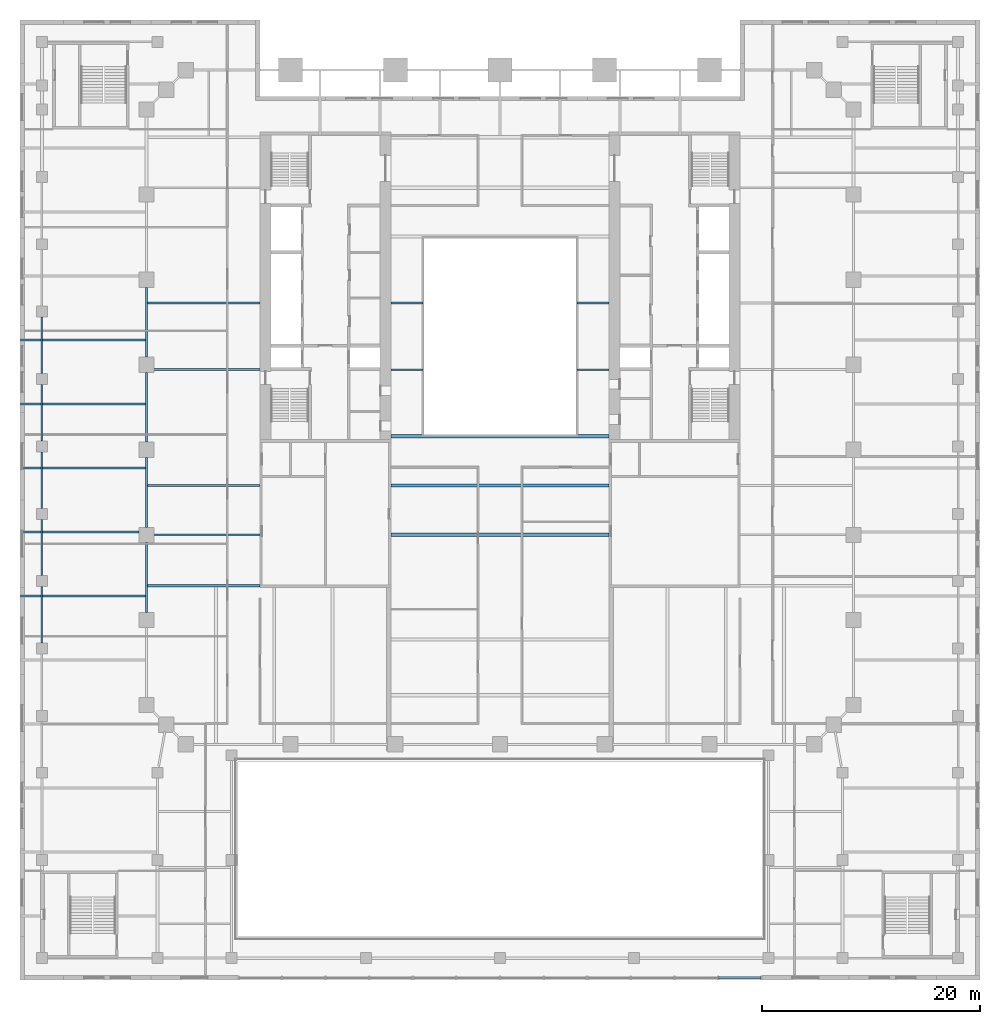
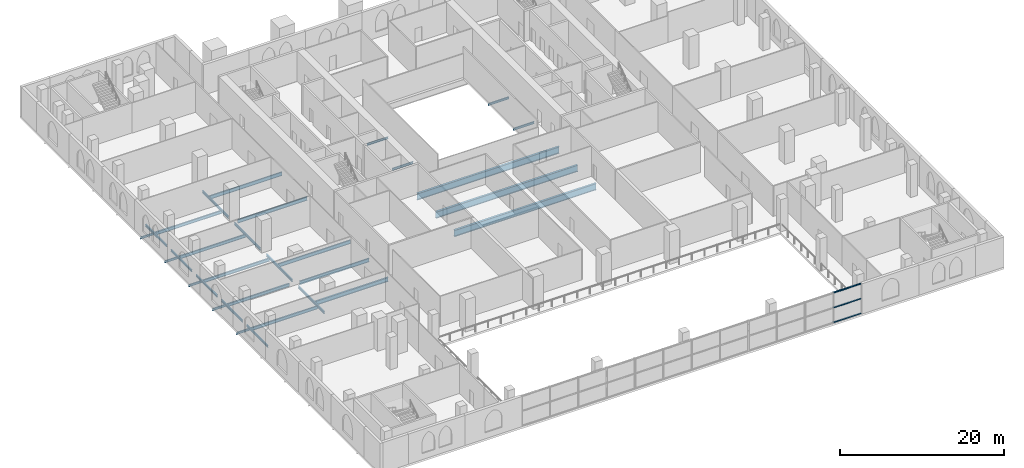
# One storey, part 4 of 19: 31 beams, 3 members, 1 element without a shape of its own.
"""IFC4 building model written with IfcOpenShell, lengths in metres."""

import ifcopenshell
import ifcopenshell.guid

model = None  # the IFC model being written
_history = None  # IfcOwnerHistory: only IFC2X3 demands one
_inside = {}  # id of a spatial element -> (the spatial element, [elements in it])
_under = {}  # id of a project, library or spatial element -> (it, [spatial elements below it])
_declared = {}  # id of a project -> (the project, [libraries it declares])
_typed = {}  # id of a type object -> (the type object, [elements of that type])
_made_of = {}  # id of a material, layer set ... -> (it, [elements and type objects made of it])


def new_model(schema):
    """Start an empty IFC model of exactly this schema.

    Asked for "IFC4X3", IfcOpenShell would pick the latest addendum, in which some entities
    have other attributes; the version numbers below select the first issue.
    IFC2X3 requires an IfcOwnerHistory on every rooted entity: one is made here for all.
    """
    global model, _history
    if schema == "IFC4X3":
        model = ifcopenshell.file(schema_version=(4, 3, 0, 0))
    else:
        model = ifcopenshell.file(schema=schema)
    _inside.clear()
    _under.clear()
    _declared.clear()
    _typed.clear()
    _made_of.clear()
    _history = None
    if model.schema == "IFC2X3":
        org = make("IfcOrganization", Name="unknown")
        user = make(
            "IfcPersonAndOrganization",
            ThePerson=make("IfcPerson", FamilyName="unknown"),
            TheOrganization=org,
        )
        app = make(
            "IfcApplication",
            ApplicationDeveloper=org,
            Version="unknown",
            ApplicationFullName="unknown",
            ApplicationIdentifier="unknown",
        )
        _history = make(
            "IfcOwnerHistory",
            OwningUser=user,
            OwningApplication=app,
            ChangeAction="ADDED",
            CreationDate=0,
        )
    return model


def make(cls, **values):
    """One entity of the class cls with the attributes given. An attribute that is None is left unset."""
    return model.create_entity(
        cls, **{name: value for name, value in values.items() if value is not None}
    )


def rooted(cls, **values):
    """An entity with a GlobalId (a new one), such as an element, a storey or a relation."""
    return make(cls, GlobalId=ifcopenshell.guid.new(), OwnerHistory=_history, **values)


def si_unit(unit_type, name, prefix=None):
    """IfcSIUnit, for example si_unit("LENGTHUNIT", "METRE", prefix="MILLI")."""
    return make("IfcSIUnit", UnitType=unit_type, Prefix=prefix, Name=name)


def assignment(units):
    """IfcUnitAssignment: the units of a project."""
    return None if units is None else make("IfcUnitAssignment", Units=units)


def point(xyz):
    """IfcCartesianPoint."""
    return None if xyz is None else make("IfcCartesianPoint", Coordinates=xyz)


def direction(xyz):
    """IfcDirection."""
    return None if xyz is None else make("IfcDirection", DirectionRatios=xyz)


def frame(location, z_axis=None, x_axis=None):
    """IfcAxis2Placement3D, a coordinate frame: its origin and axes. An axis left out is left unset."""
    return make(
        "IfcAxis2Placement3D",
        Location=point(location),
        Axis=direction(z_axis),
        RefDirection=direction(x_axis),
    )


def frame_2d(location, x_axis=None):
    """IfcAxis2Placement2D, a coordinate frame in the plane: its origin and x axis."""
    return make(
        "IfcAxis2Placement2D", Location=point(location), RefDirection=direction(x_axis)
    )


def origin():
    """The frame at (0, 0, 0) with its axes left unset."""
    return frame((0.0, 0.0, 0.0))


def origin_2d():
    """The frame at (0, 0) in the plane with its x axis left unset."""
    return frame_2d((0.0, 0.0))


def place(relative_to, where):
    """IfcLocalPlacement: puts the frame where relative to a parent placement (None: the world)."""
    return make(
        "IfcLocalPlacement", PlacementRelTo=relative_to, RelativePlacement=where
    )


def context(
    kind, dimensions, precision=None, world=None, true_north=None, identifier=None
):
    """IfcGeometricRepresentationContext, for example the 3D "Model" context."""
    return make(
        "IfcGeometricRepresentationContext",
        ContextIdentifier=identifier,
        ContextType=kind,
        CoordinateSpaceDimension=dimensions,
        Precision=precision,
        WorldCoordinateSystem=world,
        TrueNorth=true_north,
    )


def subcontext(parent, identifier, kind, view, scale=None):
    """IfcGeometricRepresentationSubContext, for example "Body" below "Model"."""
    return make(
        "IfcGeometricRepresentationSubContext",
        ContextIdentifier=identifier,
        ContextType=kind,
        ParentContext=parent,
        TargetScale=scale,
        TargetView=view,
    )


def project(units=None, contexts=None):
    """IfcProject with its units and contexts."""
    return rooted(
        "IfcProject",
        Name="project",
        RepresentationContexts=contexts,
        UnitsInContext=assignment(units),
    )


def spatial(cls, under=None, at=None, **own):
    """A site, building, storey or space (cls), placed at a placement, below another one or the project."""
    s = rooted(cls, ObjectPlacement=at, **own)
    if under is not None:
        _under.setdefault(under.id(), (under, []))[1].append(s)
    return s


def profile(cls, at=None, kind="AREA", **sizes):
    """A parametric profile (cls). Its sizes go by their IFC names, for example OverallWidth=200.0."""
    return make(cls, ProfileType=kind, Position=at, **sizes)


def rectangle(**sizes):
    """IfcRectangleProfileDef."""
    return profile("IfcRectangleProfileDef", **sizes)


def i_section(**sizes):
    """IfcIShapeProfileDef."""
    return profile("IfcIShapeProfileDef", **sizes)


def extrude(swept, where, along, depth):
    """IfcExtrudedAreaSolid: the profile swept, set in the frame where, extruded along a direction by depth."""
    return make(
        "IfcExtrudedAreaSolid",
        SweptArea=swept,
        Position=where,
        ExtrudedDirection=direction(along),
        Depth=depth,
    )


def shape(context_of_items, identifier, shape_type, items):
    """IfcShapeRepresentation: the items that make up one representation, for example the "Body"."""
    return make(
        "IfcShapeRepresentation",
        ContextOfItems=context_of_items,
        RepresentationIdentifier=identifier,
        RepresentationType=shape_type,
        Items=items,
    )


def material(Name=None, Category=None):
    """IfcMaterial."""
    return make("IfcMaterial", Name=Name, Category=Category)


def material_profile(
    of_material, cross_section, Name=None, Category=None, Priority=None
):
    """IfcMaterialProfile: a cross section and its material."""
    return make(
        "IfcMaterialProfile",
        Name=Name,
        Material=of_material,
        Profile=cross_section,
        Priority=Priority,
        Category=Category,
    )


def profile_set(profiles, Name=None, composite=None):
    """IfcMaterialProfileSet."""
    return make(
        "IfcMaterialProfileSet",
        Name=Name,
        MaterialProfiles=profiles,
        CompositeProfile=composite,
    )


def made_of(thing, what):
    """Note that an element or type object is made of a material, layer set ...; save() writes the relation."""
    if what is not None:
        _made_of.setdefault(what.id(), (what, []))[1].append(thing)
    return thing


def type_object(cls, material=None, **own):
    """A type object (cls), such as IfcWallType, which elements share."""
    return made_of(rooted(cls, **own), material)


def element(
    cls,
    number,
    at=None,
    inside=None,
    cuts=None,
    type_object=None,
    material=None,
    context=None,
    identifier="Body",
    shape_type=None,
    held_by="IfcProductDefinitionShape",
    body=None,
    shapes=None,
    **own,
):
    """One element of the class cls, such as IfcWall. Its Tag is "e" and its number.

    at: its placement. inside: the storey or other place that contains it. cuts: it is an
    opening in that element (IfcRelVoidsElement). A single representation is given by context,
    identifier, shape_type and body (its items); several are given by shapes. held_by: the class
    of the entity that holds the representations. save() writes the other relations.
    """
    e = rooted(cls, Tag="e%d" % number, ObjectPlacement=at, **own)
    if body is not None:
        shapes = [shape(context, identifier, shape_type, body)]
    if shapes is not None:
        e.Representation = make(held_by, Representations=shapes)
    if inside is not None:
        _inside.setdefault(inside.id(), (inside, []))[1].append(e)
    if cuts is not None:
        rooted(
            "IfcRelVoidsElement", RelatingBuildingElement=cuts, RelatedOpeningElement=e
        )
    if type_object is not None:
        _typed.setdefault(type_object.id(), (type_object, []))[1].append(e)
    return made_of(e, material)


def aggregate(whole, parts):
    """IfcRelAggregates: a whole, such as a stair, and the parts it consists of."""
    return rooted("IfcRelAggregates", RelatingObject=whole, RelatedObjects=parts)


def save(model, path):
    """Write the relations noted so far, then the file.

    IfcRelAggregates (storeys below a building ...), IfcRelContainedInSpatialStructure (elements
    in a storey), IfcRelDefinesByType, IfcRelAssociatesMaterial and IfcRelDeclares: one each for
    every whole, place, type object, material and project.
    """
    for whole, parts in _under.values():
        aggregate(whole, parts)
    for where, things in _inside.values():
        rooted(
            "IfcRelContainedInSpatialStructure",
            RelatedElements=things,
            RelatingStructure=where,
        )
    for kind, things in _typed.values():
        rooted("IfcRelDefinesByType", RelatedObjects=things, RelatingType=kind)
    for what, things in _made_of.values():
        rooted("IfcRelAssociatesMaterial", RelatedObjects=things, RelatingMaterial=what)
    for by, libraries in _declared.values():
        rooted("IfcRelDeclares", RelatingContext=by, RelatedDefinitions=libraries)
    model.write(path)


model = new_model("IFC4")

# Units and contexts
model_context = context("Model", 3, precision=1e-05, world=origin(), true_north=direction((0.0, 1.0)))
body_context = subcontext(model_context, "Body", "Model", "MODEL_VIEW")
ifc_project = project(units=[si_unit("LENGTHUNIT", "METRE"), si_unit("AREAUNIT", "SQUARE_METRE"), si_unit("VOLUMEUNIT", "CUBIC_METRE"), si_unit("PLANEANGLEUNIT", "RADIAN"), si_unit("MASSUNIT", "GRAM", prefix="KILO")], contexts=[model_context])

# Site, building, storey
site_placement = place(None, origin())
site = spatial("IfcSite", under=ifc_project, at=site_placement, CompositionType="ELEMENT")
building_placement = place(site_placement, origin())
building = spatial("IfcBuilding", under=site, at=building_placement, Name="Ogive Exchange Tower", CompositionType="ELEMENT")
storey_placement = place(building_placement, frame((0.0, 0.0, 19.199951171875)))
storey = spatial("IfcBuildingStorey", under=building, at=storey_placement, Name="L03", CompositionType="ELEMENT", Elevation=19.199951171875)

# Beams
ifc_material_1 = material(Name="Steel ASTM A992 Gr50", Category="steel")
ifc_material_profile_1 = material_profile(ifc_material_1, i_section(OverallWidth=0.300048828125, OverallDepth=0.969970703125, WebThickness=0.01611328125, FlangeThickness=0.02099609375, at=origin_2d()), Name="W1000x222")
ifc_profile_set_1 = profile_set([ifc_material_profile_1], Name="Steel ASTM A992 Gr50")
beam_type_1 = type_object("IfcBeamType", Name="Floor beam W1000x222", PredefinedType="JOIST", material=ifc_profile_set_1)
for number, where, z_axis, x_axis, name in (
    (1, (-10.0, -11.17822265625, -0.784912109375), (1.0, 0.0, 0.0), (0.0, 1.0, 0.0), "Floor beam"),
    (2, (-10.0, -6.666748046875, -0.784912109375), (1.0, 0.0, 0.0), (0.0, 1.0, 0.0), "Floor beam"),
):
    element("IfcBeam", number, at=place(storey_placement, frame(where, z_axis=z_axis, x_axis=x_axis)), inside=storey, type_object=beam_type_1, Name=name, PredefinedType="JOIST", context=body_context, shape_type="SweptSolid", body=[
        extrude(i_section(OverallWidth=0.300048828125, OverallDepth=0.969970703125, WebThickness=0.01611328125, FlangeThickness=0.02099609375, at=origin_2d()), origin(), (0.0, 0.0, 1.0), 20.0),
    ])
ifc_material_profile_2 = material_profile(ifc_material_1, i_section(OverallWidth=0.1650390625, OverallDepth=0.31005859375, WebThickness=0.005859375, FlangeThickness=0.009765625, at=origin_2d()), Name="W310x38.7")
ifc_profile_set_2 = profile_set([ifc_material_profile_2], Name="Steel ASTM A992 Gr50")
beam_type_2 = type_object("IfcBeamType", Name="Floor beam W310x38.7", PredefinedType="JOIST", material=ifc_profile_set_2)
for number, where, z_axis, x_axis, name in (
    (3, (-10.0, 3.9482421875, -0.454833984375), (1.0, 0.0, 0.0), (0.0, 1.0, 0.0), "Floor beam"),
    (4, (7.050048828125, 3.9482421875, -0.454833984375), (1.0, 0.0, 0.0), (0.0, 1.0, 0.0), "Floor beam"),
    (5, (-10.0, 10.0517578125, -0.454833984375), (1.0, 0.0, 0.0), (0.0, 1.0, 0.0), "Floor beam"),
    (6, (7.050048828125, 10.0517578125, -0.454833984375), (1.0, 0.0, 0.0), (0.0, 1.0, 0.0), "Floor beam"),
):
    element("IfcBeam", number, at=place(storey_placement, frame(where, z_axis=z_axis, x_axis=x_axis)), inside=storey, type_object=beam_type_2, Name=name, PredefinedType="JOIST", context=body_context, shape_type="SweptSolid", body=[
        extrude(i_section(OverallWidth=0.1650390625, OverallDepth=0.31005859375, WebThickness=0.005859375, FlangeThickness=0.009765625, at=origin_2d()), origin(), (0.0, 0.0, 1.0), 2.949951171875),
    ])
for number, where, z_axis, x_axis, name in (
    (7, (-43.949951171875, -16.800048828125, -0.454833984375), (1.0, 0.0, 0.0), (0.0, 1.0, 0.0), "Floor beam"),
    (8, (-43.949951171875, -10.933349609375, -0.454833984375), (1.0, 0.0, 0.0), (0.0, 1.0, 0.0), "Floor beam"),
    (9, (-43.949951171875, -5.066650390625, -0.454833984375), (1.0, 0.0, 0.0), (0.0, 1.0, 0.0), "Floor beam"),
    (10, (-43.949951171875, 0.800048828125, -0.454833984375), (1.0, 0.0, 0.0), (0.0, 1.0, 0.0), "Floor beam"),
    (11, (-43.949951171875, 6.666748046875, -0.454833984375), (1.0, 0.0, 0.0), (0.0, 1.0, 0.0), "Floor beam"),
):
    element("IfcBeam", number, at=place(storey_placement, frame(where, z_axis=z_axis, x_axis=x_axis)), inside=storey, type_object=beam_type_2, Name=name, PredefinedType="JOIST", context=body_context, shape_type="SweptSolid", body=[
        extrude(i_section(OverallWidth=0.1650390625, OverallDepth=0.31005859375, WebThickness=0.005859375, FlangeThickness=0.009765625, at=origin_2d()), origin(), (0.0, 0.0, 1.0), 1.867431640625),
    ])
ifc_material_profile_3 = material_profile(ifc_material_1, i_section(OverallWidth=0.19091796875, OverallDepth=0.45703125, WebThickness=0.009033203125, FlangeThickness=0.014404296875, at=origin_2d()), Name="W460x74")
ifc_profile_set_3 = profile_set([ifc_material_profile_3], Name="Steel ASTM A992 Gr50")
beam_type_3 = type_object("IfcBeamType", Name="Floor beam W460x74", PredefinedType="JOIST", material=ifc_profile_set_3)
beam_1_placement = place(storey_placement, frame((-41.91748046875, -16.800048828125, -0.528564453125), z_axis=(1.0, 0.0, 0.0), x_axis=(0.0, 1.0, 0.0)))
element("IfcBeam", 12, at=beam_1_placement, inside=storey, type_object=beam_type_3, Name="Floor beam", PredefinedType="JOIST", context=body_context, shape_type="SweptSolid", body=[
    extrude(i_section(OverallWidth=0.19091796875, OverallDepth=0.45703125, WebThickness=0.009033203125, FlangeThickness=0.014404296875, at=origin_2d()), origin(), (0.0, 0.0, 1.0), 9.431884765625),
])
beam_2_placement = place(storey_placement, frame((-41.91748046875, -10.933349609375, -0.528564453125), z_axis=(1.0, 0.0, 0.0), x_axis=(0.0, 1.0, 0.0)))
element("IfcBeam", 13, at=beam_2_placement, inside=storey, type_object=beam_type_3, Name="Floor beam", PredefinedType="JOIST", context=body_context, shape_type="SweptSolid", body=[
    extrude(i_section(OverallWidth=0.19091796875, OverallDepth=0.45703125, WebThickness=0.009033203125, FlangeThickness=0.014404296875, at=origin_2d()), origin(), (0.0, 0.0, 1.0), 8.8173828125),
])
for number, where, z_axis, x_axis, name in (
    (14, (-41.91748046875, -5.066650390625, -0.528564453125), (1.0, 0.0, 0.0), (0.0, 1.0, 0.0), "Floor beam"),
    (15, (-41.91748046875, 0.800048828125, -0.528564453125), (1.0, 0.0, 0.0), (0.0, 1.0, 0.0), "Floor beam"),
    (16, (-41.91748046875, 6.666748046875, -0.528564453125), (1.0, 0.0, 0.0), (0.0, 1.0, 0.0), "Floor beam"),
):
    element("IfcBeam", number, at=place(storey_placement, frame(where, z_axis=z_axis, x_axis=x_axis)), inside=storey, type_object=beam_type_3, Name=name, PredefinedType="JOIST", context=body_context, shape_type="SweptSolid", body=[
        extrude(i_section(OverallWidth=0.19091796875, OverallDepth=0.45703125, WebThickness=0.009033203125, FlangeThickness=0.014404296875, at=origin_2d()), origin(), (0.0, 0.0, 1.0), 9.431884765625),
    ])
ifc_material_profile_4 = material_profile(ifc_material_1, i_section(OverallWidth=0.1669921875, OverallDepth=0.535888671875, WebThickness=0.01025390625, FlangeThickness=0.0166015625, at=origin_2d()), Name="W530x85")
ifc_profile_set_4 = profile_set([ifc_material_profile_4], Name="Steel ASTM A992 Gr50")
beam_type_4 = type_object("IfcBeamType", Name="Floor beam W530x85", PredefinedType="JOIST", material=ifc_profile_set_4)
beam_3_placement = place(storey_placement, frame((-31.800048828125, -11.17822265625, -0.56787109375), z_axis=(1.0, 0.0, 0.0), x_axis=(0.0, 1.0, 0.0)))
element("IfcBeam", 17, at=beam_3_placement, inside=storey, type_object=beam_type_4, Name="Floor beam", PredefinedType="JOIST", context=body_context, shape_type="SweptSolid", body=[
    extrude(i_section(OverallWidth=0.1669921875, OverallDepth=0.535888671875, WebThickness=0.01025390625, FlangeThickness=0.0166015625, at=origin_2d()), origin(), (0.0, 0.0, 1.0), 9.800048828125),
])
beam_4_placement = place(storey_placement, frame((-32.344970703125, -6.666748046875, -0.56787109375), z_axis=(1.0, 0.0, 0.0), x_axis=(0.0, 1.0, 0.0)))
element("IfcBeam", 18, at=beam_4_placement, inside=storey, type_object=beam_type_4, Name="Floor beam", PredefinedType="JOIST", context=body_context, shape_type="SweptSolid", body=[
    extrude(i_section(OverallWidth=0.1669921875, OverallDepth=0.535888671875, WebThickness=0.01025390625, FlangeThickness=0.0166015625, at=origin_2d()), origin(), (0.0, 0.0, 1.0), 10.344970703125),
])
beam_5_placement = place(storey_placement, frame((-31.800048828125, 3.9482421875, -0.56787109375), z_axis=(1.0, 0.0, 0.0), x_axis=(0.0, 1.0, 0.0)))
element("IfcBeam", 19, at=beam_5_placement, inside=storey, type_object=beam_type_4, Name="Floor beam", PredefinedType="JOIST", context=body_context, shape_type="SweptSolid", body=[
    extrude(i_section(OverallWidth=0.1669921875, OverallDepth=0.535888671875, WebThickness=0.01025390625, FlangeThickness=0.0166015625, at=origin_2d()), origin(), (0.0, 0.0, 1.0), 9.800048828125),
])
beam_6_placement = place(storey_placement, frame((-32.344970703125, 10.0517578125, -0.56787109375), z_axis=(1.0, 0.0, 0.0), x_axis=(0.0, 1.0, 0.0)))
element("IfcBeam", 20, at=beam_6_placement, inside=storey, type_object=beam_type_4, Name="Floor beam", PredefinedType="JOIST", context=body_context, shape_type="SweptSolid", body=[
    extrude(i_section(OverallWidth=0.1669921875, OverallDepth=0.535888671875, WebThickness=0.01025390625, FlangeThickness=0.0166015625, at=origin_2d()), origin(), (0.0, 0.0, 1.0), 10.344970703125),
])

# Curtain wall, members
ifc_material_2 = material(Name="Anodised aluminium and clear glass", Category="aluminium")
curtain_wall_type = type_object("IfcCurtainWallType", Name="Galleria end wall glazing", PredefinedType="NOTDEFINED", material=ifc_material_2)
curtain_wall_placement = place(storey_placement, origin())
curtain_wall = element("IfcCurtainWall", 21, at=curtain_wall_placement, inside=storey, type_object=curtain_wall_type, Name="Galleria end wall glazing run GE9", PredefinedType="NOTDEFINED")
ifc_material_3 = material(Name="Anodised aluminium", Category="aluminium")
ifc_material_profile_5 = material_profile(ifc_material_3, rectangle(XDim=0.219970703125, YDim=0.080078125, at=origin_2d()), Name="AL 80x220")
ifc_profile_set_5 = profile_set([ifc_material_profile_5], Name="Anodised aluminium")
member_type = type_object("IfcMemberType", Name="Galleria end wall glazing transom 80 x 220", PredefinedType="USERDEFINED", material=ifc_profile_set_5)
member_1_placement = place(storey_placement, frame((20.0400390625, -51.800048828125, 0.0400390625), z_axis=(1.0, 0.0, 0.0), x_axis=(0.0, 1.0, 0.0)))
member_1 = element("IfcMember", 22, at=member_1_placement, type_object=member_type, Name="GE9 transom 2.1", ObjectType="TRANSOM", PredefinedType="USERDEFINED", context=body_context, shape_type="SweptSolid", body=[
    extrude(rectangle(XDim=0.219970703125, YDim=0.080078125, at=origin_2d()), origin(), (0.0, 0.0, 1.0), 3.8798828125),
])
member_2_placement = place(storey_placement, frame((20.0400390625, -51.800048828125, 2.25), z_axis=(1.0, 0.0, 0.0), x_axis=(0.0, 1.0, 0.0)))
member_2 = element("IfcMember", 23, at=member_2_placement, type_object=member_type, Name="GE9 transom 2.2", ObjectType="TRANSOM", PredefinedType="USERDEFINED", context=body_context, shape_type="SweptSolid", body=[
    extrude(rectangle(XDim=0.219970703125, YDim=0.080078125, at=origin_2d()), origin(), (0.0, 0.0, 1.0), 3.8798828125),
])
member_3_placement = place(storey_placement, frame((20.0400390625, -51.800048828125, 4.4599609375), z_axis=(1.0, 0.0, 0.0), x_axis=(0.0, 1.0, 0.0)))
member_3 = element("IfcMember", 24, at=member_3_placement, type_object=member_type, Name="GE9 transom 2.3", ObjectType="TRANSOM", PredefinedType="USERDEFINED", context=body_context, shape_type="SweptSolid", body=[
    extrude(rectangle(XDim=0.219970703125, YDim=0.080078125, at=origin_2d()), origin(), (0.0, 0.0, 1.0), 3.8798828125),
])
aggregate(curtain_wall, [member_1, member_2, member_3])

# Beams
ifc_material_profile_6 = material_profile(ifc_material_1, i_section(OverallWidth=0.300048828125, OverallDepth=0.97998046875, WebThickness=0.0166015625, FlangeThickness=0.026123046875, at=origin_2d()), Name="W1000x249")
ifc_profile_set_6 = profile_set([ifc_material_profile_6], Name="Steel ASTM A992 Gr50")
beam_type_5 = type_object("IfcBeamType", Name="Girder W1000x249", PredefinedType="BEAM", material=ifc_profile_set_6)
beam_7_placement = place(storey_placement, frame((-10.0, -2.155029296875, -0.7900390625), z_axis=(1.0, 0.0, 0.0), x_axis=(0.0, 1.0, 0.0)))
element("IfcBeam", 25, at=beam_7_placement, inside=storey, type_object=beam_type_5, Name="Trimmer girder", PredefinedType="BEAM", context=body_context, shape_type="SweptSolid", body=[
    extrude(i_section(OverallWidth=0.300048828125, OverallDepth=0.97998046875, WebThickness=0.0166015625, FlangeThickness=0.026123046875, at=origin_2d()), origin(), (0.0, 0.0, 1.0), 20.0),
])
ifc_material_profile_7 = material_profile(ifc_material_1, i_section(OverallWidth=0.1650390625, OverallDepth=0.31005859375, WebThickness=0.005859375, FlangeThickness=0.009765625, at=origin_2d()), Name="W310x38.7")
ifc_profile_set_7 = profile_set([ifc_material_profile_7], Name="Steel ASTM A992 Gr50")
beam_type_6 = type_object("IfcBeamType", Name="Girder W310x38.7", PredefinedType="BEAM", material=ifc_profile_set_7)
beam_8_placement = place(storey_placement, frame((-42.0, -21.1201171875, -0.454833984375), z_axis=(0.0, 1.0, 0.0), x_axis=(-1.0, 0.0, 0.0)))
element("IfcBeam", 26, at=beam_8_placement, inside=storey, type_object=beam_type_6, Name="Girder", PredefinedType="BEAM", context=body_context, shape_type="SweptSolid", body=[
    extrude(i_section(OverallWidth=0.1650390625, OverallDepth=0.31005859375, WebThickness=0.005859375, FlangeThickness=0.009765625, at=origin_2d()), origin(), (0.0, 0.0, 1.0), 5.18017578125),
])
beam_9_placement = place(storey_placement, frame((-42.0, -14.93994140625, -0.454833984375), z_axis=(0.0, 1.0, 0.0), x_axis=(-1.0, 0.0, 0.0)))
element("IfcBeam", 27, at=beam_9_placement, inside=storey, type_object=beam_type_6, Name="Girder", PredefinedType="BEAM", context=body_context, shape_type="SweptSolid", body=[
    extrude(i_section(OverallWidth=0.1650390625, OverallDepth=0.31005859375, WebThickness=0.005859375, FlangeThickness=0.009765625, at=origin_2d()), origin(), (0.0, 0.0, 1.0), 5.169921875),
])
beam_10_placement = place(storey_placement, frame((-42.0, -8.77001953125, -0.454833984375), z_axis=(0.0, 1.0, 0.0), x_axis=(-1.0, 0.0, 0.0)))
element("IfcBeam", 28, at=beam_10_placement, inside=storey, type_object=beam_type_6, Name="Girder", PredefinedType="BEAM", context=body_context, shape_type="SweptSolid", body=[
    extrude(i_section(OverallWidth=0.1650390625, OverallDepth=0.31005859375, WebThickness=0.005859375, FlangeThickness=0.009765625, at=origin_2d()), origin(), (0.0, 0.0, 1.0), 5.179931640625),
])
beam_11_placement = place(storey_placement, frame((-42.0, -2.590087890625, -0.454833984375), z_axis=(0.0, 1.0, 0.0), x_axis=(-1.0, 0.0, 0.0)))
element("IfcBeam", 29, at=beam_11_placement, inside=storey, type_object=beam_type_6, Name="Girder", PredefinedType="BEAM", context=body_context, shape_type="SweptSolid", body=[
    extrude(i_section(OverallWidth=0.1650390625, OverallDepth=0.31005859375, WebThickness=0.005859375, FlangeThickness=0.009765625, at=origin_2d()), origin(), (0.0, 0.0, 1.0), 5.18017578125),
])
beam_12_placement = place(storey_placement, frame((-42.0, 3.590087890625, -0.454833984375), z_axis=(0.0, 1.0, 0.0), x_axis=(-1.0, 0.0, 0.0)))
element("IfcBeam", 30, at=beam_12_placement, inside=storey, type_object=beam_type_6, Name="Girder", PredefinedType="BEAM", context=body_context, shape_type="SweptSolid", body=[
    extrude(i_section(OverallWidth=0.1650390625, OverallDepth=0.31005859375, WebThickness=0.005859375, FlangeThickness=0.009765625, at=origin_2d()), origin(), (0.0, 0.0, 1.0), 5.179931640625),
])
ifc_material_profile_8 = material_profile(ifc_material_1, i_section(OverallWidth=0.1708984375, OverallDepth=0.35595703125, WebThickness=0.00732421875, FlangeThickness=0.01171875, at=origin_2d()), Name="W360x51")
ifc_profile_set_8 = profile_set([ifc_material_profile_8], Name="Steel ASTM A992 Gr50")
beam_type_7 = type_object("IfcBeamType", Name="Girder W360x51", PredefinedType="BEAM", material=ifc_profile_set_8)
for number, where, z_axis, x_axis, name in (
    (31, (-32.39990234375, 11.5, -0.47802734375), (0.0, -1.0, 0.0), (1.0, 0.0, 0.0), "Girder"),
    (32, (-32.39990234375, 3.699951171875, -0.47802734375), (0.0, -1.0, 0.0), (1.0, 0.0, 0.0), "Girder"),
    (33, (-32.39990234375, -4.10009765625, -0.47802734375), (0.0, -1.0, 0.0), (1.0, 0.0, 0.0), "Girder"),
):
    element("IfcBeam", number, at=place(storey_placement, frame(where, z_axis=z_axis, x_axis=x_axis)), inside=storey, type_object=beam_type_7, Name=name, PredefinedType="BEAM", context=body_context, shape_type="SweptSolid", body=[
        extrude(i_section(OverallWidth=0.1708984375, OverallDepth=0.35595703125, WebThickness=0.00732421875, FlangeThickness=0.01171875, at=origin_2d()), origin(), (0.0, 0.0, 1.0), 6.39990234375),
    ])
beam_13_placement = place(storey_placement, frame((-32.39990234375, -11.89990234375, -0.47802734375), z_axis=(0.0, -1.0, 0.0), x_axis=(1.0, 0.0, 0.0)))
element("IfcBeam", 34, at=beam_13_placement, inside=storey, type_object=beam_type_7, Name="Girder", PredefinedType="BEAM", context=body_context, shape_type="SweptSolid", body=[
    extrude(i_section(OverallWidth=0.1708984375, OverallDepth=0.35595703125, WebThickness=0.00732421875, FlangeThickness=0.01171875, at=origin_2d()), origin(), (0.0, 0.0, 1.0), 6.400146484375),
])
ifc_material_profile_9 = material_profile(ifc_material_1, i_section(OverallWidth=0.22802734375, OverallDepth=0.60205078125, WebThickness=0.010498046875, FlangeThickness=0.014892578125, at=origin_2d()), Name="W610x101")
ifc_profile_set_9 = profile_set([ifc_material_profile_9], Name="Steel ASTM A992 Gr50")
beam_type_8 = type_object("IfcBeamType", Name="Girder W610x101", PredefinedType="BEAM", material=ifc_profile_set_9)
beam_14_placement = place(storey_placement, frame((-22.0, -15.844970703125, -0.600830078125), z_axis=(-1.0, 0.0, 0.0), x_axis=(0.0, -1.0, 0.0)))
element("IfcBeam", 35, at=beam_14_placement, inside=storey, type_object=beam_type_8, Name="Header girder", PredefinedType="BEAM", context=body_context, shape_type="SweptSolid", body=[
    extrude(i_section(OverallWidth=0.22802734375, OverallDepth=0.60205078125, WebThickness=0.010498046875, FlangeThickness=0.014892578125, at=origin_2d()), origin(), (0.0, 0.0, 1.0), 10.344970703125),
])

save(model, "model.ifc")
